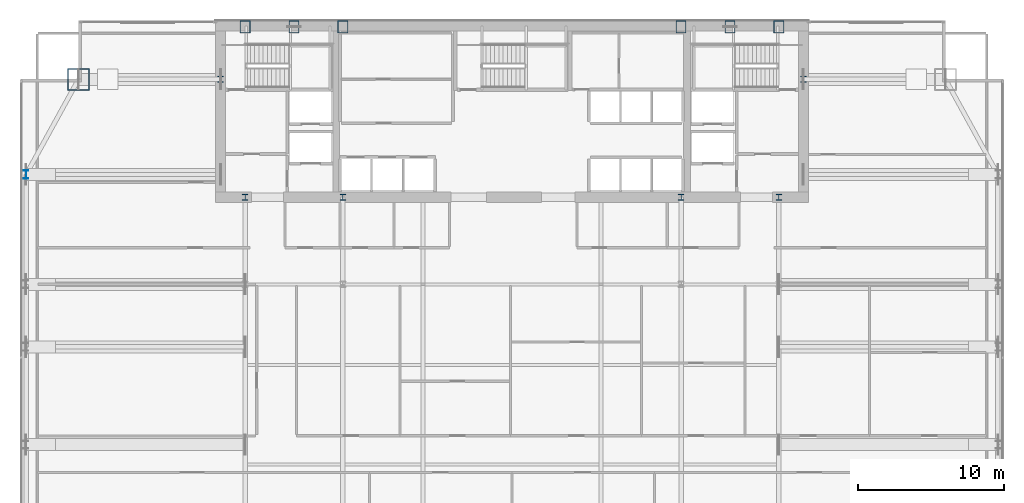
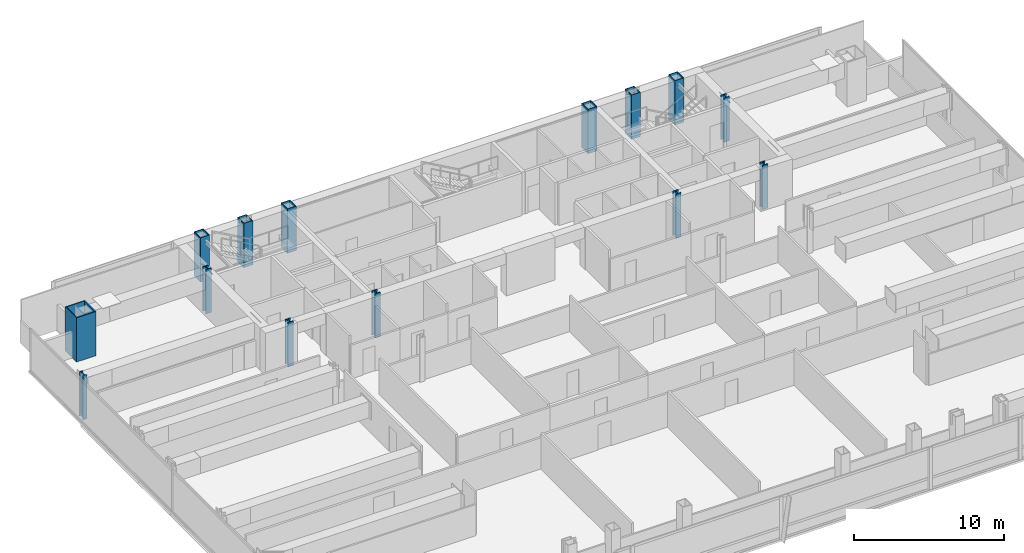
# One storey, part 3 of 30: 14 columns.
"""IFC4 building model written with IfcOpenShell, lengths in metres."""

import ifcopenshell
import ifcopenshell.guid

model = None  # the IFC model being written
_history = None  # IfcOwnerHistory: only IFC2X3 demands one
_inside = {}  # id of a spatial element -> (the spatial element, [elements in it])
_under = {}  # id of a project, library or spatial element -> (it, [spatial elements below it])
_declared = {}  # id of a project -> (the project, [libraries it declares])
_typed = {}  # id of a type object -> (the type object, [elements of that type])
_made_of = {}  # id of a material, layer set ... -> (it, [elements and type objects made of it])


def new_model(schema):
    """Start an empty IFC model of exactly this schema.

    Asked for "IFC4X3", IfcOpenShell would pick the latest addendum, in which some entities
    have other attributes; the version numbers below select the first issue.
    IFC2X3 requires an IfcOwnerHistory on every rooted entity: one is made here for all.
    """
    global model, _history
    if schema == "IFC4X3":
        model = ifcopenshell.file(schema_version=(4, 3, 0, 0))
    else:
        model = ifcopenshell.file(schema=schema)
    _inside.clear()
    _under.clear()
    _declared.clear()
    _typed.clear()
    _made_of.clear()
    _history = None
    if model.schema == "IFC2X3":
        org = make("IfcOrganization", Name="unknown")
        user = make(
            "IfcPersonAndOrganization",
            ThePerson=make("IfcPerson", FamilyName="unknown"),
            TheOrganization=org,
        )
        app = make(
            "IfcApplication",
            ApplicationDeveloper=org,
            Version="unknown",
            ApplicationFullName="unknown",
            ApplicationIdentifier="unknown",
        )
        _history = make(
            "IfcOwnerHistory",
            OwningUser=user,
            OwningApplication=app,
            ChangeAction="ADDED",
            CreationDate=0,
        )
    return model


def make(cls, **values):
    """One entity of the class cls with the attributes given. An attribute that is None is left unset."""
    return model.create_entity(
        cls, **{name: value for name, value in values.items() if value is not None}
    )


def rooted(cls, **values):
    """An entity with a GlobalId (a new one), such as an element, a storey or a relation."""
    return make(cls, GlobalId=ifcopenshell.guid.new(), OwnerHistory=_history, **values)


def si_unit(unit_type, name, prefix=None):
    """IfcSIUnit, for example si_unit("LENGTHUNIT", "METRE", prefix="MILLI")."""
    return make("IfcSIUnit", UnitType=unit_type, Prefix=prefix, Name=name)


def assignment(units):
    """IfcUnitAssignment: the units of a project."""
    return None if units is None else make("IfcUnitAssignment", Units=units)


def point(xyz):
    """IfcCartesianPoint."""
    return None if xyz is None else make("IfcCartesianPoint", Coordinates=xyz)


def direction(xyz):
    """IfcDirection."""
    return None if xyz is None else make("IfcDirection", DirectionRatios=xyz)


def frame(location, z_axis=None, x_axis=None):
    """IfcAxis2Placement3D, a coordinate frame: its origin and axes. An axis left out is left unset."""
    return make(
        "IfcAxis2Placement3D",
        Location=point(location),
        Axis=direction(z_axis),
        RefDirection=direction(x_axis),
    )


def frame_2d(location, x_axis=None):
    """IfcAxis2Placement2D, a coordinate frame in the plane: its origin and x axis."""
    return make(
        "IfcAxis2Placement2D", Location=point(location), RefDirection=direction(x_axis)
    )


def origin():
    """The frame at (0, 0, 0) with its axes left unset."""
    return frame((0.0, 0.0, 0.0))


def origin_2d():
    """The frame at (0, 0) in the plane with its x axis left unset."""
    return frame_2d((0.0, 0.0))


def place(relative_to, where):
    """IfcLocalPlacement: puts the frame where relative to a parent placement (None: the world)."""
    return make(
        "IfcLocalPlacement", PlacementRelTo=relative_to, RelativePlacement=where
    )


def context(
    kind, dimensions, precision=None, world=None, true_north=None, identifier=None
):
    """IfcGeometricRepresentationContext, for example the 3D "Model" context."""
    return make(
        "IfcGeometricRepresentationContext",
        ContextIdentifier=identifier,
        ContextType=kind,
        CoordinateSpaceDimension=dimensions,
        Precision=precision,
        WorldCoordinateSystem=world,
        TrueNorth=true_north,
    )


def subcontext(parent, identifier, kind, view, scale=None):
    """IfcGeometricRepresentationSubContext, for example "Body" below "Model"."""
    return make(
        "IfcGeometricRepresentationSubContext",
        ContextIdentifier=identifier,
        ContextType=kind,
        ParentContext=parent,
        TargetScale=scale,
        TargetView=view,
    )


def project(units=None, contexts=None):
    """IfcProject with its units and contexts."""
    return rooted(
        "IfcProject",
        Name="project",
        RepresentationContexts=contexts,
        UnitsInContext=assignment(units),
    )


def spatial(cls, under=None, at=None, **own):
    """A site, building, storey or space (cls), placed at a placement, below another one or the project."""
    s = rooted(cls, ObjectPlacement=at, **own)
    if under is not None:
        _under.setdefault(under.id(), (under, []))[1].append(s)
    return s


def profile(cls, at=None, kind="AREA", **sizes):
    """A parametric profile (cls). Its sizes go by their IFC names, for example OverallWidth=200.0."""
    return make(cls, ProfileType=kind, Position=at, **sizes)


def hollow_rectangle(**sizes):
    """IfcRectangleHollowProfileDef."""
    return profile("IfcRectangleHollowProfileDef", **sizes)


def i_section(**sizes):
    """IfcIShapeProfileDef."""
    return profile("IfcIShapeProfileDef", **sizes)


def extrude(swept, where, along, depth):
    """IfcExtrudedAreaSolid: the profile swept, set in the frame where, extruded along a direction by depth."""
    return make(
        "IfcExtrudedAreaSolid",
        SweptArea=swept,
        Position=where,
        ExtrudedDirection=direction(along),
        Depth=depth,
    )


def shape(context_of_items, identifier, shape_type, items):
    """IfcShapeRepresentation: the items that make up one representation, for example the "Body"."""
    return make(
        "IfcShapeRepresentation",
        ContextOfItems=context_of_items,
        RepresentationIdentifier=identifier,
        RepresentationType=shape_type,
        Items=items,
    )


def material(Name=None, Category=None):
    """IfcMaterial."""
    return make("IfcMaterial", Name=Name, Category=Category)


def material_profile(
    of_material, cross_section, Name=None, Category=None, Priority=None
):
    """IfcMaterialProfile: a cross section and its material."""
    return make(
        "IfcMaterialProfile",
        Name=Name,
        Material=of_material,
        Profile=cross_section,
        Priority=Priority,
        Category=Category,
    )


def profile_set(profiles, Name=None, composite=None):
    """IfcMaterialProfileSet."""
    return make(
        "IfcMaterialProfileSet",
        Name=Name,
        MaterialProfiles=profiles,
        CompositeProfile=composite,
    )


def made_of(thing, what):
    """Note that an element or type object is made of a material, layer set ...; save() writes the relation."""
    if what is not None:
        _made_of.setdefault(what.id(), (what, []))[1].append(thing)
    return thing


def type_object(cls, material=None, **own):
    """A type object (cls), such as IfcWallType, which elements share."""
    return made_of(rooted(cls, **own), material)


def element(
    cls,
    number,
    at=None,
    inside=None,
    cuts=None,
    type_object=None,
    material=None,
    context=None,
    identifier="Body",
    shape_type=None,
    held_by="IfcProductDefinitionShape",
    body=None,
    shapes=None,
    **own,
):
    """One element of the class cls, such as IfcWall. Its Tag is "e" and its number.

    at: its placement. inside: the storey or other place that contains it. cuts: it is an
    opening in that element (IfcRelVoidsElement). A single representation is given by context,
    identifier, shape_type and body (its items); several are given by shapes. held_by: the class
    of the entity that holds the representations. save() writes the other relations.
    """
    e = rooted(cls, Tag="e%d" % number, ObjectPlacement=at, **own)
    if body is not None:
        shapes = [shape(context, identifier, shape_type, body)]
    if shapes is not None:
        e.Representation = make(held_by, Representations=shapes)
    if inside is not None:
        _inside.setdefault(inside.id(), (inside, []))[1].append(e)
    if cuts is not None:
        rooted(
            "IfcRelVoidsElement", RelatingBuildingElement=cuts, RelatedOpeningElement=e
        )
    if type_object is not None:
        _typed.setdefault(type_object.id(), (type_object, []))[1].append(e)
    return made_of(e, material)


def aggregate(whole, parts):
    """IfcRelAggregates: a whole, such as a stair, and the parts it consists of."""
    return rooted("IfcRelAggregates", RelatingObject=whole, RelatedObjects=parts)


def save(model, path):
    """Write the relations noted so far, then the file.

    IfcRelAggregates (storeys below a building ...), IfcRelContainedInSpatialStructure (elements
    in a storey), IfcRelDefinesByType, IfcRelAssociatesMaterial and IfcRelDeclares: one each for
    every whole, place, type object, material and project.
    """
    for whole, parts in _under.values():
        aggregate(whole, parts)
    for where, things in _inside.values():
        rooted(
            "IfcRelContainedInSpatialStructure",
            RelatedElements=things,
            RelatingStructure=where,
        )
    for kind, things in _typed.values():
        rooted("IfcRelDefinesByType", RelatedObjects=things, RelatingType=kind)
    for what, things in _made_of.values():
        rooted("IfcRelAssociatesMaterial", RelatedObjects=things, RelatingMaterial=what)
    for by, libraries in _declared.values():
        rooted("IfcRelDeclares", RelatingContext=by, RelatedDefinitions=libraries)
    model.write(path)


model = new_model("IFC4")

# Units and contexts
model_context = context("Model", 3, precision=1e-05, world=origin(), true_north=direction((0.0, 1.0)))
body_context = subcontext(model_context, "Body", "Model", "MODEL_VIEW")
ifc_project = project(units=[si_unit("LENGTHUNIT", "METRE"), si_unit("AREAUNIT", "SQUARE_METRE"), si_unit("VOLUMEUNIT", "CUBIC_METRE"), si_unit("PLANEANGLEUNIT", "RADIAN"), si_unit("MASSUNIT", "GRAM", prefix="KILO")], contexts=[model_context])

# Site, building, storey
site_placement = place(None, origin())
site = spatial("IfcSite", under=ifc_project, at=site_placement, CompositionType="ELEMENT")
building_placement = place(site_placement, origin())
building = spatial("IfcBuilding", under=site, at=building_placement, Name="Khoronbel Lancet Exchange", CompositionType="ELEMENT")
storey_placement = place(building_placement, frame((0.0, 0.0, 132.60009765625)))
storey = spatial("IfcBuildingStorey", under=building, at=storey_placement, Name="L32", CompositionType="ELEMENT", Elevation=132.60009765625)

# Columns
ifc_material_1 = material(Name="Steel S460", Category="steel")
ifc_material_profile_1 = material_profile(ifc_material_1, hollow_rectangle(XDim=0.699951171875, YDim=0.85009765625, WallThickness=0.050048828125, at=origin_2d()), Name="BOX 850x700x50")
ifc_profile_set_1 = profile_set([ifc_material_profile_1], Name="Steel S460")
column_type_1 = type_object("IfcColumnType", Name="COL-EC2", PredefinedType="COLUMN", material=ifc_profile_set_1)
for number, where, z_axis, x_axis, name in (
    (1, (18.22509765625, 53.280029296875, 0.0), (0.0, 0.0, 1.0), (1.0, 0.0, 0.0), "Structural column NC-W1 L32"),
    (2, (21.5625, 53.280029296875, 0.0), (0.0, 0.0, 1.0), (1.0, 0.0, 0.0), "Structural column NC-WM L32"),
    (3, (24.89990234375, 53.280029296875, 0.0), (0.0, 0.0, 1.0), (1.0, 0.0, 0.0), "Structural column NC-W2 L32"),
    (4, (48.0, 53.280029296875, 0.0), (0.0, 0.0, 1.0), (1.0, 0.0, 0.0), "Structural column NC-E1 L32"),
    (5, (51.33740234375, 53.280029296875, 0.0), (0.0, 0.0, 1.0), (1.0, 0.0, 0.0), "Structural column NC-EM L32"),
    (6, (54.675048828125, 53.280029296875, 0.0), (0.0, 0.0, 1.0), (1.0, 0.0, 0.0), "Structural column NC-E2 L32"),
):
    element("IfcColumn", number, at=place(storey_placement, frame(where, z_axis=z_axis, x_axis=x_axis)), inside=storey, type_object=column_type_1, Name=name, PredefinedType="COLUMN", context=body_context, shape_type="SweptSolid", body=[
        extrude(hollow_rectangle(XDim=0.699951171875, YDim=0.85009765625, WallThickness=0.050048828125, at=origin_2d()), origin(), (0.0, 0.0, 1.0), 3.599853515625),
    ])
ifc_material_profile_2 = material_profile(ifc_material_1, i_section(OverallWidth=0.416015625, OverallDepth=0.446044921875, WebThickness=0.0390625, FlangeThickness=0.062744140625, at=origin_2d()), Name="HD 400x509")
ifc_profile_set_2 = profile_set([ifc_material_profile_2], Name="Steel S460")
column_type_2 = type_object("IfcColumnType", Name="COL-IC2", PredefinedType="COLUMN", material=ifc_profile_set_2)
for number, where, z_axis, x_axis, name in (
    (7, (16.550048828125, 49.699951171875, 0.0), (0.0, 0.0, 1.0), (1.0, 0.0, 0.0), "Core-flank plumb transfer column CFW L32"),
    (8, (56.35009765625, 49.699951171875, 0.0), (0.0, 0.0, 1.0), (1.0, 0.0, 0.0), "Core-flank plumb transfer column CFE L32"),
    (9, (18.22509765625, 41.64990234375, 0.0), (0.0, 0.0, 1.0), (1.0, 0.0, 0.0), "Core-embedded steel column CTC1 L32"),
    (10, (24.89990234375, 41.64990234375, 0.0), (0.0, 0.0, 1.0), (1.0, 0.0, 0.0), "Core-embedded steel column CTC2 L32"),
    (11, (48.0, 41.64990234375, 0.0), (0.0, 0.0, 1.0), (1.0, 0.0, 0.0), "Core-embedded steel column CTC3 L32"),
    (12, (54.675048828125, 41.64990234375, 0.0), (0.0, 0.0, 1.0), (1.0, 0.0, 0.0), "Core-embedded steel column CTC4 L32"),
):
    element("IfcColumn", number, at=place(storey_placement, frame(where, z_axis=z_axis, x_axis=x_axis)), inside=storey, type_object=column_type_2, Name=name, PredefinedType="COLUMN", context=body_context, shape_type="SweptSolid", body=[
        extrude(i_section(OverallWidth=0.416015625, OverallDepth=0.446044921875, WebThickness=0.0390625, FlangeThickness=0.062744140625, at=origin_2d()), origin(), (0.0, 0.0, 1.0), 3.599853515625),
    ])
ifc_material_2 = material(Name="Steel S355", Category="steel")
ifc_material_profile_3 = material_profile(ifc_material_2, i_section(OverallWidth=0.300048828125, OverallDepth=0.550048828125, WebThickness=0.014892578125, FlangeThickness=0.029052734375, at=origin_2d()), Name="HEB 550")
ifc_profile_set_3 = profile_set([ifc_material_profile_3], Name="Steel S355")
column_type_3 = type_object("IfcColumnType", Name="COL-LC1", PredefinedType="COLUMN", material=ifc_profile_set_3)
column_1_placement = place(storey_placement, frame((3.27001953125, 43.199951171875, 0.0), z_axis=(0.0, 0.0, 1.0), x_axis=(1.0, 0.0, 0.0)))
element("IfcColumn", 13, at=column_1_placement, inside=storey, type_object=column_type_3, Name="Structural column WC-4 L32", PredefinedType="COLUMN", context=body_context, shape_type="SweptSolid", body=[
    extrude(i_section(OverallWidth=0.300048828125, OverallDepth=0.550048828125, WebThickness=0.014892578125, FlangeThickness=0.029052734375, at=origin_2d()), origin(), (0.0, 0.0, 1.0), 3.599853515625),
])
ifc_material_profile_4 = material_profile(ifc_material_1, hollow_rectangle(XDim=1.5, YDim=1.5, WallThickness=0.070068359375, at=origin_2d()), Name="BOX 1500x1500x70")
ifc_profile_set_4 = profile_set([ifc_material_profile_4], Name="Steel S460")
column_type_4 = type_object("IfcColumnType", Name="COL-MC3", PredefinedType="COLUMN", material=ifc_profile_set_4)
column_2_placement = place(storey_placement, frame((6.85009765625, 49.699951171875, 0.0), z_axis=(0.0, 0.0, 1.0), x_axis=(1.0, 0.0, 0.0)))
element("IfcColumn", 14, at=column_2_placement, inside=storey, type_object=column_type_4, Name="Structural column MC-NW L32", PredefinedType="COLUMN", context=body_context, shape_type="SweptSolid", body=[
    extrude(hollow_rectangle(XDim=1.5, YDim=1.5, WallThickness=0.070068359375, at=origin_2d()), origin(), (0.0, 0.0, 1.0), 3.599853515625),
])

save(model, "model.ifc")
